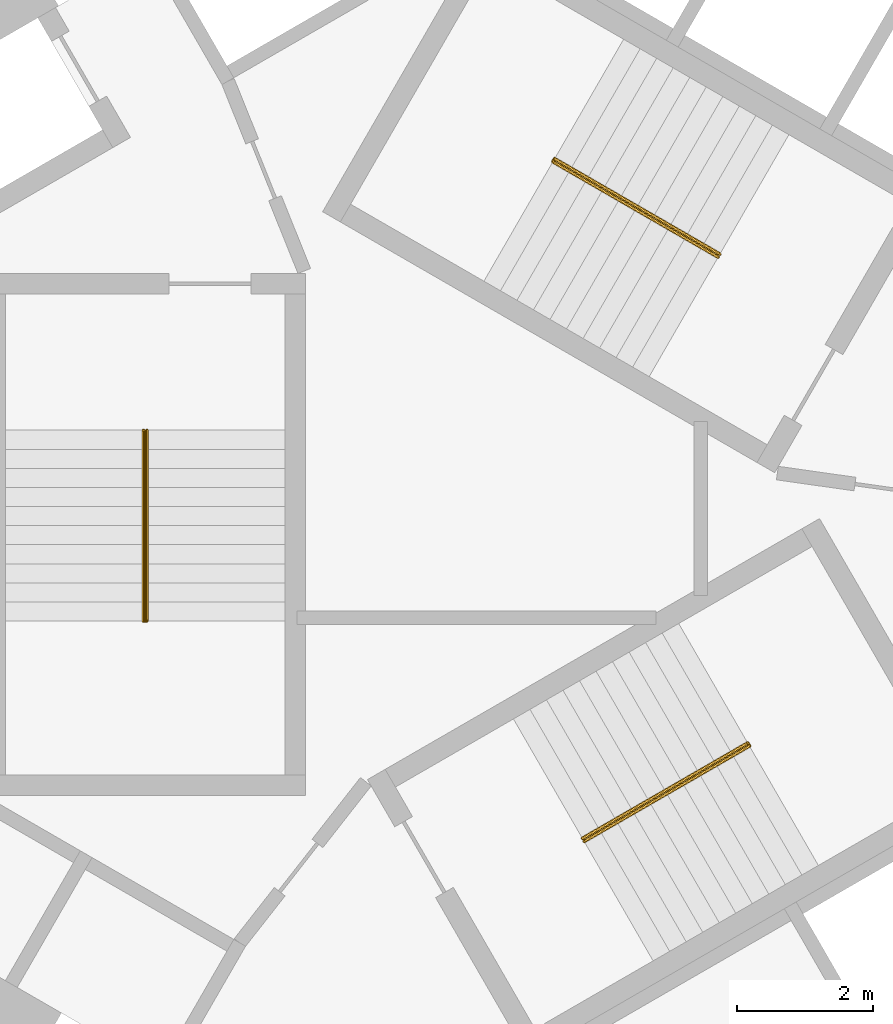
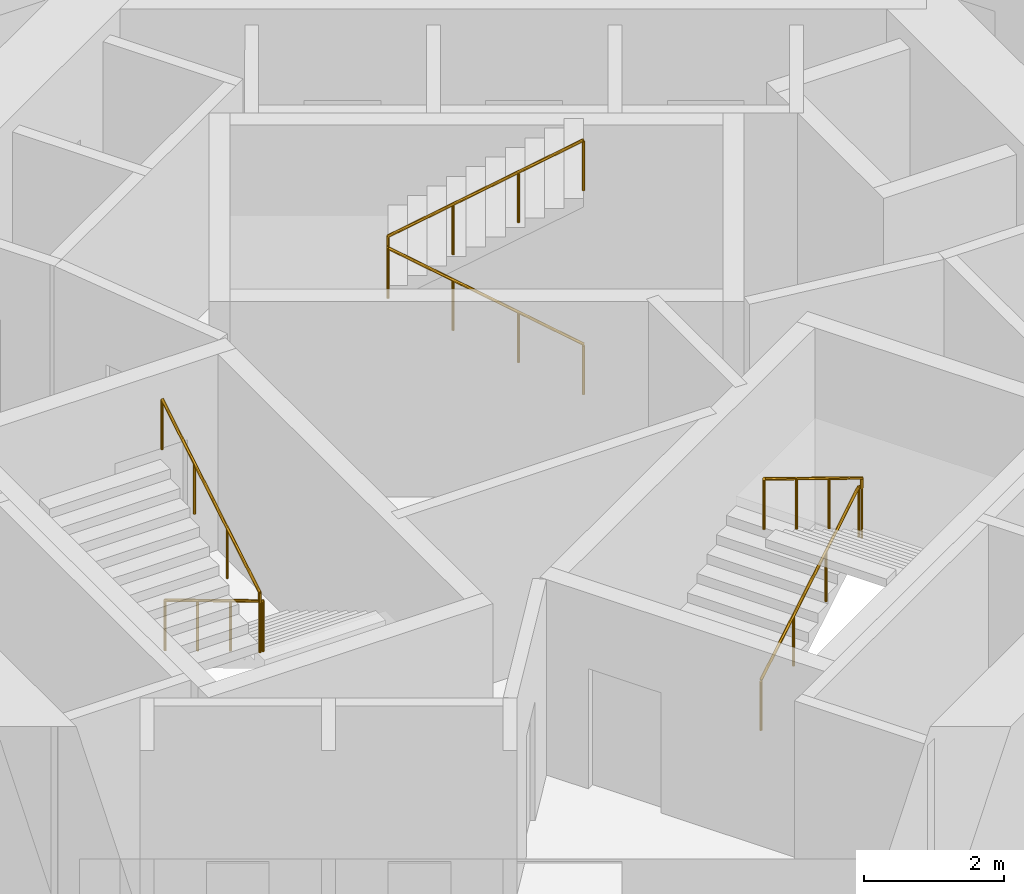
# One storey, part 11 of 11: 3 railings.
"""IFC4 building model written with IfcOpenShell, lengths in metres."""

import ifcopenshell
import ifcopenshell.guid

model = None  # the IFC model being written
_history = None  # IfcOwnerHistory: only IFC2X3 demands one
_inside = {}  # id of a spatial element -> (the spatial element, [elements in it])
_under = {}  # id of a project, library or spatial element -> (it, [spatial elements below it])
_declared = {}  # id of a project -> (the project, [libraries it declares])
_typed = {}  # id of a type object -> (the type object, [elements of that type])
_made_of = {}  # id of a material, layer set ... -> (it, [elements and type objects made of it])


def new_model(schema):
    """Start an empty IFC model of exactly this schema.

    Asked for "IFC4X3", IfcOpenShell would pick the latest addendum, in which some entities
    have other attributes; the version numbers below select the first issue.
    IFC2X3 requires an IfcOwnerHistory on every rooted entity: one is made here for all.
    """
    global model, _history
    if schema == "IFC4X3":
        model = ifcopenshell.file(schema_version=(4, 3, 0, 0))
    else:
        model = ifcopenshell.file(schema=schema)
    _inside.clear()
    _under.clear()
    _declared.clear()
    _typed.clear()
    _made_of.clear()
    _history = None
    if model.schema == "IFC2X3":
        org = make("IfcOrganization", Name="unknown")
        user = make(
            "IfcPersonAndOrganization",
            ThePerson=make("IfcPerson", FamilyName="unknown"),
            TheOrganization=org,
        )
        app = make(
            "IfcApplication",
            ApplicationDeveloper=org,
            Version="unknown",
            ApplicationFullName="unknown",
            ApplicationIdentifier="unknown",
        )
        _history = make(
            "IfcOwnerHistory",
            OwningUser=user,
            OwningApplication=app,
            ChangeAction="ADDED",
            CreationDate=0,
        )
    return model


def make(cls, **values):
    """One entity of the class cls with the attributes given. An attribute that is None is left unset."""
    return model.create_entity(
        cls, **{name: value for name, value in values.items() if value is not None}
    )


def rooted(cls, **values):
    """An entity with a GlobalId (a new one), such as an element, a storey or a relation."""
    return make(cls, GlobalId=ifcopenshell.guid.new(), OwnerHistory=_history, **values)


def si_unit(unit_type, name, prefix=None):
    """IfcSIUnit, for example si_unit("LENGTHUNIT", "METRE", prefix="MILLI")."""
    return make("IfcSIUnit", UnitType=unit_type, Prefix=prefix, Name=name)


def assignment(units):
    """IfcUnitAssignment: the units of a project."""
    return None if units is None else make("IfcUnitAssignment", Units=units)


def point(xyz):
    """IfcCartesianPoint."""
    return None if xyz is None else make("IfcCartesianPoint", Coordinates=xyz)


def direction(xyz):
    """IfcDirection."""
    return None if xyz is None else make("IfcDirection", DirectionRatios=xyz)


def frame(location, z_axis=None, x_axis=None):
    """IfcAxis2Placement3D, a coordinate frame: its origin and axes. An axis left out is left unset."""
    return make(
        "IfcAxis2Placement3D",
        Location=point(location),
        Axis=direction(z_axis),
        RefDirection=direction(x_axis),
    )


def frame_2d(location, x_axis=None):
    """IfcAxis2Placement2D, a coordinate frame in the plane: its origin and x axis."""
    return make(
        "IfcAxis2Placement2D", Location=point(location), RefDirection=direction(x_axis)
    )


def origin():
    """The frame at (0, 0, 0) with its axes left unset."""
    return frame((0.0, 0.0, 0.0))


def origin_2d():
    """The frame at (0, 0) in the plane with its x axis left unset."""
    return frame_2d((0.0, 0.0))


def place(relative_to, where):
    """IfcLocalPlacement: puts the frame where relative to a parent placement (None: the world)."""
    return make(
        "IfcLocalPlacement", PlacementRelTo=relative_to, RelativePlacement=where
    )


def context(
    kind, dimensions, precision=None, world=None, true_north=None, identifier=None
):
    """IfcGeometricRepresentationContext, for example the 3D "Model" context."""
    return make(
        "IfcGeometricRepresentationContext",
        ContextIdentifier=identifier,
        ContextType=kind,
        CoordinateSpaceDimension=dimensions,
        Precision=precision,
        WorldCoordinateSystem=world,
        TrueNorth=true_north,
    )


def subcontext(parent, identifier, kind, view, scale=None):
    """IfcGeometricRepresentationSubContext, for example "Body" below "Model"."""
    return make(
        "IfcGeometricRepresentationSubContext",
        ContextIdentifier=identifier,
        ContextType=kind,
        ParentContext=parent,
        TargetScale=scale,
        TargetView=view,
    )


def project(units=None, contexts=None):
    """IfcProject with its units and contexts."""
    return rooted(
        "IfcProject",
        Name="project",
        RepresentationContexts=contexts,
        UnitsInContext=assignment(units),
    )


def spatial(cls, under=None, at=None, **own):
    """A site, building, storey or space (cls), placed at a placement, below another one or the project."""
    s = rooted(cls, ObjectPlacement=at, **own)
    if under is not None:
        _under.setdefault(under.id(), (under, []))[1].append(s)
    return s


def profile(cls, at=None, kind="AREA", **sizes):
    """A parametric profile (cls). Its sizes go by their IFC names, for example OverallWidth=200.0."""
    return make(cls, ProfileType=kind, Position=at, **sizes)


def circle(**sizes):
    """IfcCircleProfileDef."""
    return profile("IfcCircleProfileDef", **sizes)


def extrude(swept, where, along, depth):
    """IfcExtrudedAreaSolid: the profile swept, set in the frame where, extruded along a direction by depth."""
    return make(
        "IfcExtrudedAreaSolid",
        SweptArea=swept,
        Position=where,
        ExtrudedDirection=direction(along),
        Depth=depth,
    )


def shape(context_of_items, identifier, shape_type, items):
    """IfcShapeRepresentation: the items that make up one representation, for example the "Body"."""
    return make(
        "IfcShapeRepresentation",
        ContextOfItems=context_of_items,
        RepresentationIdentifier=identifier,
        RepresentationType=shape_type,
        Items=items,
    )


def material(Name=None, Category=None):
    """IfcMaterial."""
    return make("IfcMaterial", Name=Name, Category=Category)


def made_of(thing, what):
    """Note that an element or type object is made of a material, layer set ...; save() writes the relation."""
    if what is not None:
        _made_of.setdefault(what.id(), (what, []))[1].append(thing)
    return thing


def type_object(cls, material=None, **own):
    """A type object (cls), such as IfcWallType, which elements share."""
    return made_of(rooted(cls, **own), material)


def element(
    cls,
    number,
    at=None,
    inside=None,
    cuts=None,
    type_object=None,
    material=None,
    context=None,
    identifier="Body",
    shape_type=None,
    held_by="IfcProductDefinitionShape",
    body=None,
    shapes=None,
    **own,
):
    """One element of the class cls, such as IfcWall. Its Tag is "e" and its number.

    at: its placement. inside: the storey or other place that contains it. cuts: it is an
    opening in that element (IfcRelVoidsElement). A single representation is given by context,
    identifier, shape_type and body (its items); several are given by shapes. held_by: the class
    of the entity that holds the representations. save() writes the other relations.
    """
    e = rooted(cls, Tag="e%d" % number, ObjectPlacement=at, **own)
    if body is not None:
        shapes = [shape(context, identifier, shape_type, body)]
    if shapes is not None:
        e.Representation = make(held_by, Representations=shapes)
    if inside is not None:
        _inside.setdefault(inside.id(), (inside, []))[1].append(e)
    if cuts is not None:
        rooted(
            "IfcRelVoidsElement", RelatingBuildingElement=cuts, RelatedOpeningElement=e
        )
    if type_object is not None:
        _typed.setdefault(type_object.id(), (type_object, []))[1].append(e)
    return made_of(e, material)


def aggregate(whole, parts):
    """IfcRelAggregates: a whole, such as a stair, and the parts it consists of."""
    return rooted("IfcRelAggregates", RelatingObject=whole, RelatedObjects=parts)


def save(model, path):
    """Write the relations noted so far, then the file.

    IfcRelAggregates (storeys below a building ...), IfcRelContainedInSpatialStructure (elements
    in a storey), IfcRelDefinesByType, IfcRelAssociatesMaterial and IfcRelDeclares: one each for
    every whole, place, type object, material and project.
    """
    for whole, parts in _under.values():
        aggregate(whole, parts)
    for where, things in _inside.values():
        rooted(
            "IfcRelContainedInSpatialStructure",
            RelatedElements=things,
            RelatingStructure=where,
        )
    for kind, things in _typed.values():
        rooted("IfcRelDefinesByType", RelatedObjects=things, RelatingType=kind)
    for what, things in _made_of.values():
        rooted("IfcRelAssociatesMaterial", RelatedObjects=things, RelatingMaterial=what)
    for by, libraries in _declared.values():
        rooted("IfcRelDeclares", RelatingContext=by, RelatedDefinitions=libraries)
    model.write(path)


model = new_model("IFC4")

# Units and contexts
model_context = context("Model", 3, precision=1e-05, world=origin(), true_north=direction((0.0, 1.0)))
body_context = subcontext(model_context, "Body", "Model", "MODEL_VIEW")
ifc_project = project(units=[si_unit("LENGTHUNIT", "METRE"), si_unit("AREAUNIT", "SQUARE_METRE"), si_unit("VOLUMEUNIT", "CUBIC_METRE"), si_unit("PLANEANGLEUNIT", "RADIAN"), si_unit("MASSUNIT", "GRAM", prefix="KILO")], contexts=[model_context])

# Site, building, storey
site_placement = place(None, origin())
site = spatial("IfcSite", under=ifc_project, at=site_placement, CompositionType="ELEMENT")
building_placement = place(site_placement, origin())
building = spatial("IfcBuilding", under=site, at=building_placement, Name="Vanh Sen Convention Tower", CompositionType="ELEMENT")
storey_placement = place(building_placement, frame((0.0, 0.0, 131.800048828125)))
storey = spatial("IfcBuildingStorey", under=building, at=storey_placement, Name="L32", CompositionType="ELEMENT", Elevation=131.800048828125)

# Railings
ifc_material = material(Name="Stainless steel handrail", Category="steel")
railing_type = type_object("IfcRailingType", Name="Stair handrail 900", PredefinedType="HANDRAIL", material=ifc_material)
railing_1_placement = place(storey_placement, frame((3.45849609375, 3.690185546875, 0.168212890625)))
element("IfcRailing", 1, at=railing_1_placement, inside=storey, type_object=railing_type, Name="Stair handrail ST1 L32", PredefinedType="HANDRAIL", context=body_context, shape_type="SweptSolid", body=[
    extrude(circle(Radius=0.02392578125, at=origin_2d()), frame((0.0, 0.0, 0.8759765625), z_axis=(-0.74241905619, 0.428617687091, 0.514879426), x_axis=(-0.49998411664, -0.866034573852, 0.0)), (0.0, 0.0, 1.0), 3.26611328125),
    extrude(circle(Radius=0.02392578125, at=origin_2d()), frame((-2.4248046875, 1.39990234375, 2.5576171875), z_axis=(0.497188445666, 0.867642581652, 0.0), x_axis=(-0.867642581652, 0.497188445666, 0.0)), (0.0, 0.0, 1.0), 0.050048828125),
    extrude(circle(Radius=0.02392578125, at=origin_2d()), frame((-2.39990234375, 1.443359375, 2.5576171875), z_axis=(0.0, 0.0, 1.0), x_axis=(1.0, 0.0, 0.0)), (0.0, 0.0, 1.0), 0.168212890625),
    extrude(circle(Radius=0.02392578125, at=origin_2d()), frame((-2.39990234375, 1.443359375, 2.7255859375), z_axis=(0.742366697286, -0.42866220388, 0.514917859203), x_axis=(0.500049511043, 0.865996816683, 0.0)), (0.0, 0.0, 1.0), 3.266357421875),
    extrude(circle(Radius=0.02099609375, at=origin_2d()), origin(), (0.0, 0.0, 1.0), 0.851806640625),
    extrude(circle(Radius=0.02099609375, at=origin_2d()), frame((-0.808349609375, 0.466552734375, 0.560546875)), (0.0, 0.0, 1.0), 0.851806640625),
    extrude(circle(Radius=0.02099609375, at=origin_2d()), frame((-1.616455078125, 0.933349609375, 1.12109375)), (0.0, 0.0, 1.0), 0.851806640625),
    extrude(circle(Radius=0.02099609375, at=origin_2d()), frame((-2.4248046875, 1.39990234375, 1.681640625)), (0.0, 0.0, 1.0), 0.851806640625),
    extrude(circle(Radius=0.02099609375, at=origin_2d()), frame((-2.39990234375, 1.443359375, 1.681640625)), (0.0, 0.0, 1.0), 0.851806640625),
    extrude(circle(Radius=0.02099609375, at=origin_2d()), frame((-2.39990234375, 1.443359375, 1.849853515625)), (0.0, 0.0, 1.0), 0.851806640625),
    extrude(circle(Radius=0.02099609375, at=origin_2d()), frame((-1.591552734375, 0.9765625, 2.410400390625)), (0.0, 0.0, 1.0), 0.851806640625),
    extrude(circle(Radius=0.02099609375, at=origin_2d()), frame((-0.783447265625, 0.510009765625, 2.97119140625)), (0.0, 0.0, 1.0), 0.851806640625),
    extrude(circle(Radius=0.02099609375, at=origin_2d()), frame((0.02490234375, 0.043212890625, 3.53173828125)), (0.0, 0.0, 1.0), 0.851806640625),
])
railing_2_placement = place(storey_placement, frame((-4.925048828125, 1.14990234375, 0.168212890625)))
element("IfcRailing", 2, at=railing_2_placement, inside=storey, type_object=railing_type, Name="Stair handrail ST2 L32", PredefinedType="HANDRAIL", context=body_context, shape_type="SweptSolid", body=[
    extrude(circle(Radius=0.02392578125, at=origin_2d()), frame((0.0, 0.0, 0.8759765625), z_axis=(0.0, -0.857255387014, 0.514891446264), x_axis=(1.0, 0.0, 0.0)), (0.0, 0.0, 1.0), 3.26611328125),
    extrude(circle(Radius=0.02392578125, at=origin_2d()), frame((0.0, -2.7998046875, 2.5576171875), z_axis=(-1.0, 0.0, 0.0), x_axis=(0.0, -1.0, 0.0)), (0.0, 0.0, 1.0), 0.050048828125),
    extrude(circle(Radius=0.02392578125, at=origin_2d()), frame((-0.050048828125, -2.7998046875, 2.5576171875), z_axis=(0.0, 0.0, 1.0), x_axis=(1.0, 0.0, 0.0)), (0.0, 0.0, 1.0), 0.168212890625),
    extrude(circle(Radius=0.02392578125, at=origin_2d()), frame((-0.050048828125, -2.7998046875, 2.7255859375), z_axis=(0.0, 0.857222391501, 0.514946377315), x_axis=(-1.0, 0.0, 0.0)), (0.0, 0.0, 1.0), 3.26611328125),
    extrude(circle(Radius=0.02099609375, at=origin_2d()), origin(), (0.0, 0.0, 1.0), 0.851806640625),
    extrude(circle(Radius=0.02099609375, at=origin_2d()), frame((0.0, -0.933349609375, 0.560546875)), (0.0, 0.0, 1.0), 0.851806640625),
    extrude(circle(Radius=0.02099609375, at=origin_2d()), frame((0.0, -1.866455078125, 1.12109375)), (0.0, 0.0, 1.0), 0.851806640625),
    extrude(circle(Radius=0.02099609375, at=origin_2d()), frame((0.0, -2.7998046875, 1.681640625)), (0.0, 0.0, 1.0), 0.851806640625),
    extrude(circle(Radius=0.02099609375, at=origin_2d()), frame((-0.050048828125, -2.7998046875, 1.681640625)), (0.0, 0.0, 1.0), 0.851806640625),
    extrude(circle(Radius=0.02099609375, at=origin_2d()), frame((-0.050048828125, -2.7998046875, 1.849853515625)), (0.0, 0.0, 1.0), 0.851806640625),
    extrude(circle(Radius=0.02099609375, at=origin_2d()), frame((-0.050048828125, -1.866455078125, 2.410400390625)), (0.0, 0.0, 1.0), 0.851806640625),
    extrude(circle(Radius=0.02099609375, at=origin_2d()), frame((-0.050048828125, -0.933349609375, 2.97119140625)), (0.0, 0.0, 1.0), 0.851806640625),
    extrude(circle(Radius=0.02099609375, at=origin_2d()), frame((-0.050048828125, 0.0, 3.53173828125)), (0.0, 0.0, 1.0), 0.851806640625),
])
railing_3_placement = place(storey_placement, frame((1.466552734375, -4.840087890625, 0.168212890625)))
element("IfcRailing", 3, at=railing_3_placement, inside=storey, type_object=railing_type, Name="Stair handrail ST3 L32", PredefinedType="HANDRAIL", context=body_context, shape_type="SweptSolid", body=[
    extrude(circle(Radius=0.02392578125, at=origin_2d()), frame((0.0, 0.0, 0.8759765625), z_axis=(0.74241905619, 0.428617687091, 0.514879426), x_axis=(-0.49998411664, 0.866034573852, 0.0)), (0.0, 0.0, 1.0), 3.26611328125),
    extrude(circle(Radius=0.02392578125, at=origin_2d()), frame((2.4248046875, 1.39990234375, 2.5576171875), z_axis=(0.502959906984, -0.86430974307, 0.0), x_axis=(0.86430974307, 0.502959906984, 0.0)), (0.0, 0.0, 1.0), 0.050048828125),
    extrude(circle(Radius=0.02392578125, at=origin_2d()), frame((2.449951171875, 1.356689453125, 2.5576171875), z_axis=(0.0, 0.0, 1.0), x_axis=(1.0, 0.0, 0.0)), (0.0, 0.0, 1.0), 0.168212890625),
    extrude(circle(Radius=0.02392578125, at=origin_2d()), frame((2.449951171875, 1.356689453125, 2.7255859375), z_axis=(-0.742366697286, -0.42866220388, 0.514917859203), x_axis=(0.500049511043, -0.865996816683, 0.0)), (0.0, 0.0, 1.0), 3.266357421875),
    extrude(circle(Radius=0.02099609375, at=origin_2d()), origin(), (0.0, 0.0, 1.0), 0.851806640625),
    extrude(circle(Radius=0.02099609375, at=origin_2d()), frame((0.808349609375, 0.466552734375, 0.560546875)), (0.0, 0.0, 1.0), 0.851806640625),
    extrude(circle(Radius=0.02099609375, at=origin_2d()), frame((1.616455078125, 0.933349609375, 1.12109375)), (0.0, 0.0, 1.0), 0.851806640625),
    extrude(circle(Radius=0.02099609375, at=origin_2d()), frame((2.4248046875, 1.39990234375, 1.681640625)), (0.0, 0.0, 1.0), 0.851806640625),
    extrude(circle(Radius=0.02099609375, at=origin_2d()), frame((2.449951171875, 1.356689453125, 1.681640625)), (0.0, 0.0, 1.0), 0.851806640625),
    extrude(circle(Radius=0.02099609375, at=origin_2d()), frame((2.449951171875, 1.356689453125, 1.849853515625)), (0.0, 0.0, 1.0), 0.851806640625),
    extrude(circle(Radius=0.02099609375, at=origin_2d()), frame((1.6416015625, 0.889892578125, 2.410400390625)), (0.0, 0.0, 1.0), 0.851806640625),
    extrude(circle(Radius=0.02099609375, at=origin_2d()), frame((0.83349609375, 0.42333984375, 2.97119140625)), (0.0, 0.0, 1.0), 0.851806640625),
    extrude(circle(Radius=0.02099609375, at=origin_2d()), frame((0.025146484375, -0.04345703125, 3.53173828125)), (0.0, 0.0, 1.0), 0.851806640625),
])

save(model, "model.ifc")
